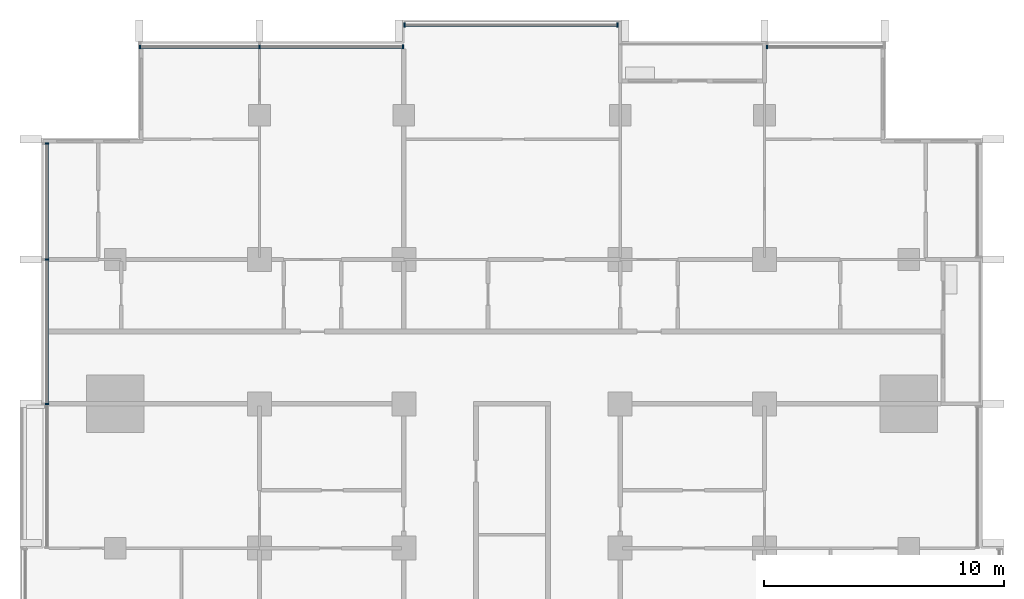
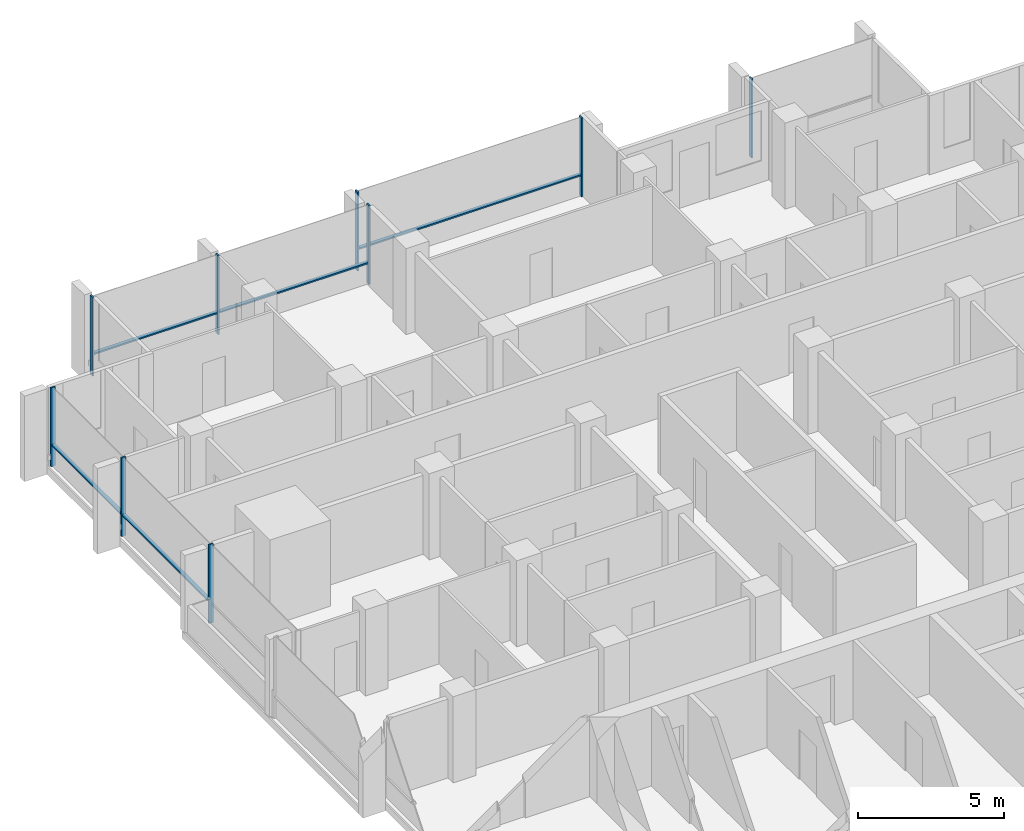
# One storey, part 4 of 17: 14 members, 4 elements without a shape of their own.
"""IFC4 building model written with IfcOpenShell, lengths in metres."""

from ifc_helpers import new_model, si_unit, direction, frame, origin, origin_2d, place, context, subcontext, project, spatial, rectangle, extrude, material, material_profile, profile_set, type_object, element, aggregate, save


model = new_model("IFC4")

# Units and contexts
model_context = context("Model", 3, precision=1e-05, world=origin(), true_north=direction((0.0, 1.0)))
body_context = subcontext(model_context, "Body", "Model", "MODEL_VIEW")
ifc_project = project(units=[si_unit("LENGTHUNIT", "METRE"), si_unit("AREAUNIT", "SQUARE_METRE"), si_unit("VOLUMEUNIT", "CUBIC_METRE"), si_unit("PLANEANGLEUNIT", "RADIAN"), si_unit("MASSUNIT", "GRAM", prefix="KILO")], contexts=[model_context])

# Site, building, storey
site_placement = place(None, origin())
site = spatial("IfcSite", under=ifc_project, at=site_placement, CompositionType="ELEMENT")
building_placement = place(site_placement, origin())
building = spatial("IfcBuilding", under=site, at=building_placement, Name="Finial Court Residences", CompositionType="ELEMENT")
storey_placement = place(building_placement, frame((0.0, 0.0, 170.89990234375)))
storey = spatial("IfcBuildingStorey", under=building, at=storey_placement, Name="L42", CompositionType="ELEMENT", Elevation=170.89990234375)

# Curtain wall, members
ifc_material = material(Name="Bronze anodised aluminium", Category="aluminium")
curtain_wall_type = type_object("IfcCurtainWallType", Name="Unitised curtain wall, upper zones", PredefinedType="NOTDEFINED", material=ifc_material)
curtain_wall_1_placement = place(storey_placement, origin())
curtain_wall_1 = element("IfcCurtainWall", 1, at=curtain_wall_1_placement, inside=storey, type_object=curtain_wall_type, Name="E-L42-CW-N1", PredefinedType="NOTDEFINED")
ifc_material_profile_1 = material_profile(ifc_material, rectangle(XDim=0.175048828125, YDim=0.06005859375, at=origin_2d()), Name="CW2 mullion 60 x 175")
ifc_profile_set_1 = profile_set([ifc_material_profile_1], Name="Bronze anodised aluminium")
member_type_1 = type_object("IfcMemberType", Name="CW2 mullion 60 x 175", PredefinedType="MULLION", material=ifc_profile_set_1)
member_1_placement = place(storey_placement, frame((-15.469970703125, 22.35009765625, 0.0), z_axis=(0.0, 0.0, 1.0), x_axis=(0.0, 1.0, 0.0)))
member_1 = element("IfcMember", 2, at=member_1_placement, type_object=member_type_1, Name="CW2 mullion 1", PredefinedType="MULLION", context=body_context, shape_type="SweptSolid", body=[
    extrude(rectangle(XDim=0.175048828125, YDim=0.06005859375, at=origin_2d()), origin(), (0.0, 0.0, 1.0), 3.300048828125),
])
member_2_placement = place(storey_placement, frame((-10.5, 22.35009765625, 0.0), z_axis=(0.0, 0.0, 1.0), x_axis=(0.0, 1.0, 0.0)))
member_2 = element("IfcMember", 3, at=member_2_placement, type_object=member_type_1, Name="CW2 mullion 2", PredefinedType="MULLION", context=body_context, shape_type="SweptSolid", body=[
    extrude(rectangle(XDim=0.175048828125, YDim=0.06005859375, at=origin_2d()), origin(), (0.0, 0.0, 1.0), 3.300048828125),
])
member_3_placement = place(storey_placement, frame((-4.530029296875, 22.35009765625, 0.0), z_axis=(0.0, 0.0, 1.0), x_axis=(0.0, 1.0, 0.0)))
member_3 = element("IfcMember", 4, at=member_3_placement, type_object=member_type_1, Name="CW2 mullion 3", PredefinedType="MULLION", context=body_context, shape_type="SweptSolid", body=[
    extrude(rectangle(XDim=0.175048828125, YDim=0.06005859375, at=origin_2d()), origin(), (0.0, 0.0, 1.0), 3.300048828125),
])

curtain_wall_2_placement = place(storey_placement, origin())
curtain_wall_2 = element("IfcCurtainWall", 5, at=curtain_wall_2_placement, inside=storey, type_object=curtain_wall_type, Name="E-L42-CW-N2", PredefinedType="NOTDEFINED")
member_4_placement = place(storey_placement, frame((-4.469970703125, 23.25, 0.0), z_axis=(0.0, 0.0, 1.0), x_axis=(0.0, 1.0, 0.0)))
member_4 = element("IfcMember", 6, at=member_4_placement, type_object=member_type_1, Name="CW2 mullion 1", PredefinedType="MULLION", context=body_context, shape_type="SweptSolid", body=[
    extrude(rectangle(XDim=0.175048828125, YDim=0.06005859375, at=origin_2d()), origin(), (0.0, 0.0, 1.0), 3.300048828125),
])
member_5_placement = place(storey_placement, frame((4.39501953125, 23.25, 0.0), z_axis=(0.0, 0.0, 1.0), x_axis=(0.0, 1.0, 0.0)))
member_5 = element("IfcMember", 7, at=member_5_placement, type_object=member_type_1, Name="CW2 mullion 2", PredefinedType="MULLION", context=body_context, shape_type="SweptSolid", body=[
    extrude(rectangle(XDim=0.175048828125, YDim=0.06005859375, at=origin_2d()), origin(), (0.0, 0.0, 1.0), 3.300048828125),
])

# Curtain wall, member
curtain_wall_3_placement = place(storey_placement, origin())
curtain_wall_3 = element("IfcCurtainWall", 8, at=curtain_wall_3_placement, inside=storey, type_object=curtain_wall_type, Name="E-L42-CW-N3", PredefinedType="NOTDEFINED")
member_6_placement = place(storey_placement, frame((10.60498046875, 22.35009765625, 0.0), z_axis=(0.0, 0.0, 1.0), x_axis=(0.0, 1.0, 0.0)))
member_6 = element("IfcMember", 9, at=member_6_placement, type_object=member_type_1, Name="CW2 mullion 1", PredefinedType="MULLION", context=body_context, shape_type="SweptSolid", body=[
    extrude(rectangle(XDim=0.175048828125, YDim=0.06005859375, at=origin_2d()), origin(), (0.0, 0.0, 1.0), 3.300048828125),
])
aggregate(curtain_wall_3, [member_6])

# Curtain wall, members
curtain_wall_4_placement = place(storey_placement, origin())
curtain_wall_4 = element("IfcCurtainWall", 10, at=curtain_wall_4_placement, inside=storey, type_object=curtain_wall_type, Name="E-L42-CW-W12", PredefinedType="NOTDEFINED")
member_7_placement = place(storey_placement, frame((-19.35009765625, 7.5, 0.0), z_axis=(0.0, 0.0, 1.0), x_axis=(-1.0, 0.0, 0.0)))
member_7 = element("IfcMember", 11, at=member_7_placement, type_object=member_type_1, Name="CW2 mullion 2", PredefinedType="MULLION", context=body_context, shape_type="SweptSolid", body=[
    extrude(rectangle(XDim=0.175048828125, YDim=0.06005859375, at=origin_2d()), origin(), (0.0, 0.0, 1.0), 3.300048828125),
])
member_8_placement = place(storey_placement, frame((-19.35009765625, 13.5, 0.0), z_axis=(0.0, 0.0, 1.0), x_axis=(-1.0, 0.0, 0.0)))
member_8 = element("IfcMember", 12, at=member_8_placement, type_object=member_type_1, Name="CW2 mullion 3", PredefinedType="MULLION", context=body_context, shape_type="SweptSolid", body=[
    extrude(rectangle(XDim=0.175048828125, YDim=0.06005859375, at=origin_2d()), origin(), (0.0, 0.0, 1.0), 3.300048828125),
])
member_9_placement = place(storey_placement, frame((-19.35009765625, 18.320068359375, 0.0), z_axis=(0.0, 0.0, 1.0), x_axis=(-1.0, 0.0, 0.0)))
member_9 = element("IfcMember", 13, at=member_9_placement, type_object=member_type_1, Name="CW2 mullion 4", PredefinedType="MULLION", context=body_context, shape_type="SweptSolid", body=[
    extrude(rectangle(XDim=0.175048828125, YDim=0.06005859375, at=origin_2d()), origin(), (0.0, 0.0, 1.0), 3.300048828125),
])

# Member
ifc_material_profile_2 = material_profile(ifc_material, rectangle(XDim=0.139892578125, YDim=0.06005859375, at=origin_2d()), Name="CW2 transom 60 x 140")
ifc_profile_set_2 = profile_set([ifc_material_profile_2], Name="Bronze anodised aluminium")
member_type_2 = type_object("IfcMemberType", Name="CW2 transom 60 x 140", PredefinedType="USERDEFINED", material=ifc_profile_set_2)
member_10_placement = place(storey_placement, frame((-15.43994140625, 22.35009765625, 0.900146484375), z_axis=(1.0, 0.0, 0.0), x_axis=(0.0, 1.0, 0.0)))
member_10 = element("IfcMember", 14, at=member_10_placement, type_object=member_type_2, Name="CW2 transom 1.1", ObjectType="TRANSOM", PredefinedType="USERDEFINED", context=body_context, shape_type="SweptSolid", body=[
    extrude(rectangle(XDim=0.139892578125, YDim=0.06005859375, at=origin_2d()), origin(), (0.0, 0.0, 1.0), 4.909912109375),
])

member_11_placement = place(storey_placement, frame((-10.469970703125, 22.35009765625, 0.900146484375), z_axis=(1.0, 0.0, 0.0), x_axis=(0.0, 1.0, 0.0)))
member_11 = element("IfcMember", 15, at=member_11_placement, type_object=member_type_2, Name="CW2 transom 2.1", ObjectType="TRANSOM", PredefinedType="USERDEFINED", context=body_context, shape_type="SweptSolid", body=[
    extrude(rectangle(XDim=0.139892578125, YDim=0.06005859375, at=origin_2d()), origin(), (0.0, 0.0, 1.0), 5.909912109375),
])

aggregate(curtain_wall_1, [member_1, member_2, member_3, member_10, member_11])

member_12_placement = place(storey_placement, frame((-4.43994140625, 23.25, 0.900146484375), z_axis=(1.0, 0.0, 0.0), x_axis=(0.0, 1.0, 0.0)))
member_12 = element("IfcMember", 16, at=member_12_placement, type_object=member_type_2, Name="CW2 transom 1.1", ObjectType="TRANSOM", PredefinedType="USERDEFINED", context=body_context, shape_type="SweptSolid", body=[
    extrude(rectangle(XDim=0.139892578125, YDim=0.06005859375, at=origin_2d()), origin(), (0.0, 0.0, 1.0), 8.804931640625),
])

aggregate(curtain_wall_2, [member_4, member_5, member_12])

member_13_placement = place(storey_placement, frame((-19.35009765625, 7.530029296875, 0.900146484375), z_axis=(0.0, 1.0, 0.0), x_axis=(-1.0, 0.0, 0.0)))
member_13 = element("IfcMember", 17, at=member_13_placement, type_object=member_type_2, Name="CW2 transom 2.1", ObjectType="TRANSOM", PredefinedType="USERDEFINED", context=body_context, shape_type="SweptSolid", body=[
    extrude(rectangle(XDim=0.139892578125, YDim=0.06005859375, at=origin_2d()), origin(), (0.0, 0.0, 1.0), 5.93994140625),
])

member_14_placement = place(storey_placement, frame((-19.35009765625, 13.530029296875, 0.900146484375), z_axis=(0.0, 1.0, 0.0), x_axis=(-1.0, 0.0, 0.0)))
member_14 = element("IfcMember", 18, at=member_14_placement, type_object=member_type_2, Name="CW2 transom 3.1", ObjectType="TRANSOM", PredefinedType="USERDEFINED", context=body_context, shape_type="SweptSolid", body=[
    extrude(rectangle(XDim=0.139892578125, YDim=0.06005859375, at=origin_2d()), origin(), (0.0, 0.0, 1.0), 4.760009765625),
])

aggregate(curtain_wall_4, [member_7, member_8, member_9, member_13, member_14])

save(model, "model.ifc")
